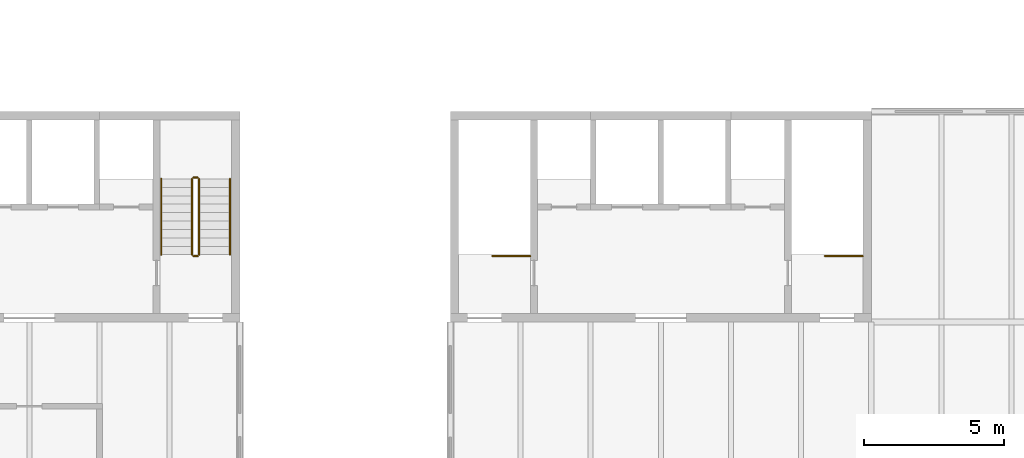
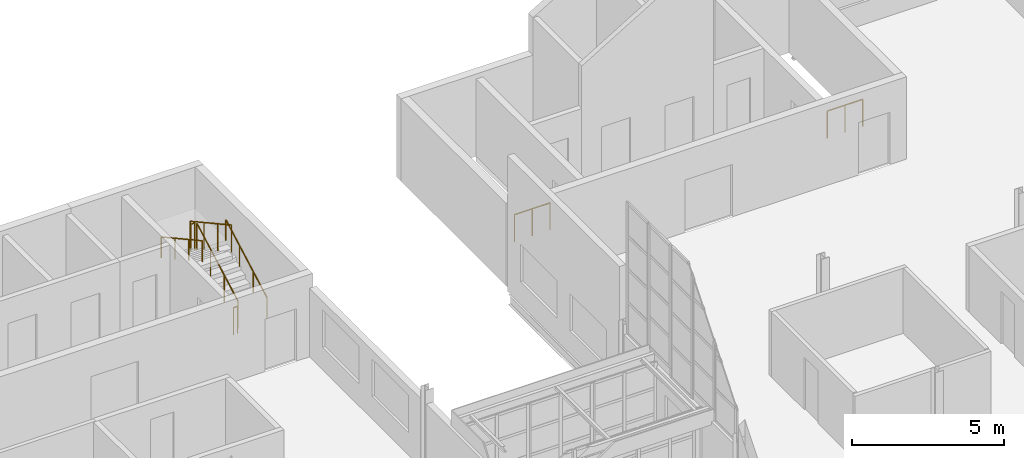
# One storey, part 186 of 198: 8 railings.
"""IFC4 building model written with IfcOpenShell, lengths in metres."""

from ifc_helpers import new_model, si_unit, direction, frame, origin, origin_2d, place, context, subcontext, project, spatial, circle, extrude, material, type_object, element, save


model = new_model("IFC4")

# Units and contexts
model_context = context("Model", 3, precision=1e-05, world=origin(), true_north=direction((0.0, 1.0)))
body_context = subcontext(model_context, "Body", "Model", "MODEL_VIEW")
ifc_project = project(units=[si_unit("LENGTHUNIT", "METRE"), si_unit("AREAUNIT", "SQUARE_METRE"), si_unit("VOLUMEUNIT", "CUBIC_METRE"), si_unit("PLANEANGLEUNIT", "RADIAN"), si_unit("MASSUNIT", "GRAM", prefix="KILO")], contexts=[model_context])

# Site, building, storey
site_placement = place(None, origin())
site = spatial("IfcSite", under=ifc_project, at=site_placement, CompositionType="ELEMENT")
building_placement = place(site_placement, origin())
building = spatial("IfcBuilding", under=site, at=building_placement, Name="Parallax Yard Mobility Hub", CompositionType="ELEMENT")
storey_placement = place(building_placement, frame((0.0, 0.0, 6.60009765625)))
storey = spatial("IfcBuildingStorey", under=building, at=storey_placement, Name="L02", CompositionType="ELEMENT", Elevation=6.60009765625)

# Railings
ifc_material = material(Name="Steel ASTM A36", Category="steel")
railing_type_1 = type_object("IfcRailingType", Name="Stair guard 1100", PredefinedType="GUARDRAIL", material=ifc_material)
railing_1_placement = place(storey_placement, frame((141.050048828125, 47.39990234375, 0.164794921875)))
element("IfcRailing", 1, at=railing_1_placement, inside=storey, type_object=railing_type_1, Name="L02 ST14 stair guard 1", PredefinedType="GUARDRAIL", context=body_context, shape_type="SweptSolid", body=[
    extrude(circle(Radius=0.02392578125, at=origin_2d()), frame((0.0, 0.0, 1.076171875), z_axis=(0.0, 0.876215908677, 0.481918749772), x_axis=(-1.0, 0.0, 0.0)), (0.0, 0.0, 1.0), 3.08154296875),
    extrude(circle(Radius=0.02099609375, at=origin_2d()), origin(), (0.0, 0.0, 1.0), 1.052001953125),
    extrude(circle(Radius=0.02099609375, at=origin_2d()), frame((0.0, 0.900146484375, 0.4951171875)), (0.0, 0.0, 1.0), 1.052001953125),
    extrude(circle(Radius=0.02099609375, at=origin_2d()), frame((0.0, 1.800048828125, 0.989990234375)), (0.0, 0.0, 1.0), 1.052001953125),
    extrude(circle(Radius=0.02099609375, at=origin_2d()), frame((0.0, 2.7001953125, 1.485107421875)), (0.0, 0.0, 1.0), 1.052001953125),
])
railing_2_placement = place(storey_placement, frame((141.0, 50.14990234375, 1.64990234375)))
element("IfcRailing", 2, at=railing_2_placement, inside=storey, type_object=railing_type_1, Name="L02 ST14 stair guard 2", PredefinedType="GUARDRAIL", context=body_context, shape_type="SweptSolid", body=[
    extrude(circle(Radius=0.02392578125, at=origin_2d()), frame((0.0, 0.0, 1.076171875), z_axis=(-1.0, 0.0, 0.0), x_axis=(0.0, -1.0, 0.0)), (0.0, 0.0, 1.0), 0.14990234375),
    extrude(circle(Radius=0.02099609375, at=origin_2d()), origin(), (0.0, 0.0, 1.0), 1.052001953125),
    extrude(circle(Radius=0.02099609375, at=origin_2d()), frame((-0.14990234375, 0.0, 0.0)), (0.0, 0.0, 1.0), 1.052001953125),
])
railing_3_placement = place(storey_placement, frame((140.800048828125, 50.10009765625, 1.81494140625)))
element("IfcRailing", 3, at=railing_3_placement, inside=storey, type_object=railing_type_1, Name="L02 ST14 stair guard 3", PredefinedType="GUARDRAIL", context=body_context, shape_type="SweptSolid", body=[
    extrude(circle(Radius=0.02392578125, at=origin_2d()), frame((0.0, 0.0, 1.076171875), z_axis=(0.0, -0.876249361297, 0.481857921827), x_axis=(1.0, 0.0, 0.0)), (0.0, 0.0, 1.0), 3.08154296875),
    extrude(circle(Radius=0.02099609375, at=origin_2d()), origin(), (0.0, 0.0, 1.0), 1.052001953125),
    extrude(circle(Radius=0.02099609375, at=origin_2d()), frame((0.0, -0.900146484375, 0.494873046875)), (0.0, 0.0, 1.0), 1.052001953125),
    extrude(circle(Radius=0.02099609375, at=origin_2d()), frame((0.0, -1.800048828125, 0.989990234375)), (0.0, 0.0, 1.0), 1.052001953125),
    extrude(circle(Radius=0.02099609375, at=origin_2d()), frame((0.0, -2.7001953125, 1.48486328125)), (0.0, 0.0, 1.0), 1.052001953125),
])
railing_4_placement = place(storey_placement, frame((141.0, 47.35009765625, 0.0)))
element("IfcRailing", 4, at=railing_4_placement, inside=storey, type_object=railing_type_1, Name="L02 ST14 stair guard 4", PredefinedType="GUARDRAIL", context=body_context, shape_type="SweptSolid", body=[
    extrude(circle(Radius=0.02392578125, at=origin_2d()), frame((0.0, 0.0, 1.076171875), z_axis=(-1.0, 0.0, 0.0), x_axis=(0.0, -1.0, 0.0)), (0.0, 0.0, 1.0), 0.14990234375),
    extrude(circle(Radius=0.02099609375, at=origin_2d()), origin(), (0.0, 0.0, 1.0), 1.052001953125),
    extrude(circle(Radius=0.02099609375, at=origin_2d()), frame((-0.14990234375, 0.0, 0.0)), (0.0, 0.0, 1.0), 1.052001953125),
])
railing_5_placement = place(storey_placement, frame((152.85009765625, 47.35009765625, 0.0)))
element("IfcRailing", 5, at=railing_5_placement, inside=storey, type_object=railing_type_1, Name="L02 ST15 top well guard 1", PredefinedType="GUARDRAIL", context=body_context, shape_type="SweptSolid", body=[
    extrude(circle(Radius=0.02392578125, at=origin_2d()), frame((0.0, 0.0, 1.076171875), z_axis=(-1.0, 0.0, 0.0), x_axis=(0.0, -1.0, 0.0)), (0.0, 0.0, 1.0), 1.35009765625),
    extrude(circle(Radius=0.02099609375, at=origin_2d()), origin(), (0.0, 0.0, 1.0), 1.052001953125),
    extrude(circle(Radius=0.02099609375, at=origin_2d()), frame((-0.675048828125, 0.0, 0.0)), (0.0, 0.0, 1.0), 1.052001953125),
    extrude(circle(Radius=0.02099609375, at=origin_2d()), frame((-1.35009765625, 0.0, 0.0)), (0.0, 0.0, 1.0), 1.052001953125),
])
railing_6_placement = place(storey_placement, frame((164.699951171875, 47.35009765625, 0.0)))
element("IfcRailing", 6, at=railing_6_placement, inside=storey, type_object=railing_type_1, Name="L02 ST16 top well guard 1", PredefinedType="GUARDRAIL", context=body_context, shape_type="SweptSolid", body=[
    extrude(circle(Radius=0.02392578125, at=origin_2d()), frame((0.0, 0.0, 1.076171875), z_axis=(-1.0, 0.0, 0.0), x_axis=(0.0, -1.0, 0.0)), (0.0, 0.0, 1.0), 1.349853515625),
    extrude(circle(Radius=0.02099609375, at=origin_2d()), origin(), (0.0, 0.0, 1.0), 1.052001953125),
    extrude(circle(Radius=0.02099609375, at=origin_2d()), frame((-0.6748046875, 0.0, 0.0)), (0.0, 0.0, 1.0), 1.052001953125),
    extrude(circle(Radius=0.02099609375, at=origin_2d()), frame((-1.349853515625, 0.0, 0.0)), (0.0, 0.0, 1.0), 1.052001953125),
])
railing_type_2 = type_object("IfcRailingType", Name="Stair handrail", PredefinedType="HANDRAIL", material=ifc_material)
railing_7_placement = place(storey_placement, frame((142.14990234375, 47.39990234375, 0.164794921875)))
element("IfcRailing", 7, at=railing_7_placement, inside=storey, type_object=railing_type_2, Name="L02 ST14 stair handrail 1", PredefinedType="HANDRAIL", context=body_context, shape_type="SweptSolid", body=[
    extrude(circle(Radius=0.02392578125, at=origin_2d()), frame((0.0, 0.0, 0.8310546875), z_axis=(0.0, 0.876215908677, 0.481918749772), x_axis=(-1.0, 0.0, 0.0)), (0.0, 0.0, 1.0), 3.08154296875),
    extrude(circle(Radius=0.02099609375, at=origin_2d()), origin(), (0.0, 0.0, 1.0), 0.806884765625),
    extrude(circle(Radius=0.02099609375, at=origin_2d()), frame((0.0, 0.900146484375, 0.4951171875)), (0.0, 0.0, 1.0), 0.806884765625),
    extrude(circle(Radius=0.02099609375, at=origin_2d()), frame((0.0, 1.800048828125, 0.989990234375)), (0.0, 0.0, 1.0), 0.806884765625),
    extrude(circle(Radius=0.02099609375, at=origin_2d()), frame((0.0, 2.7001953125, 1.485107421875)), (0.0, 0.0, 1.0), 0.806884765625),
])
railing_8_placement = place(storey_placement, frame((139.699951171875, 50.10009765625, 1.81494140625)))
element("IfcRailing", 8, at=railing_8_placement, inside=storey, type_object=railing_type_2, Name="L02 ST14 stair handrail 2", PredefinedType="HANDRAIL", context=body_context, shape_type="SweptSolid", body=[
    extrude(circle(Radius=0.02392578125, at=origin_2d()), frame((0.0, 0.0, 0.8310546875), z_axis=(0.0, -0.876249361297, 0.481857921827), x_axis=(1.0, 0.0, 0.0)), (0.0, 0.0, 1.0), 3.08154296875),
    extrude(circle(Radius=0.02099609375, at=origin_2d()), origin(), (0.0, 0.0, 1.0), 0.806884765625),
    extrude(circle(Radius=0.02099609375, at=origin_2d()), frame((0.0, -0.900146484375, 0.494873046875)), (0.0, 0.0, 1.0), 0.806884765625),
    extrude(circle(Radius=0.02099609375, at=origin_2d()), frame((0.0, -1.800048828125, 0.989990234375)), (0.0, 0.0, 1.0), 0.806884765625),
    extrude(circle(Radius=0.02099609375, at=origin_2d()), frame((0.0, -2.7001953125, 1.48486328125)), (0.0, 0.0, 1.0), 0.806884765625),
])

save(model, "model.ifc")
